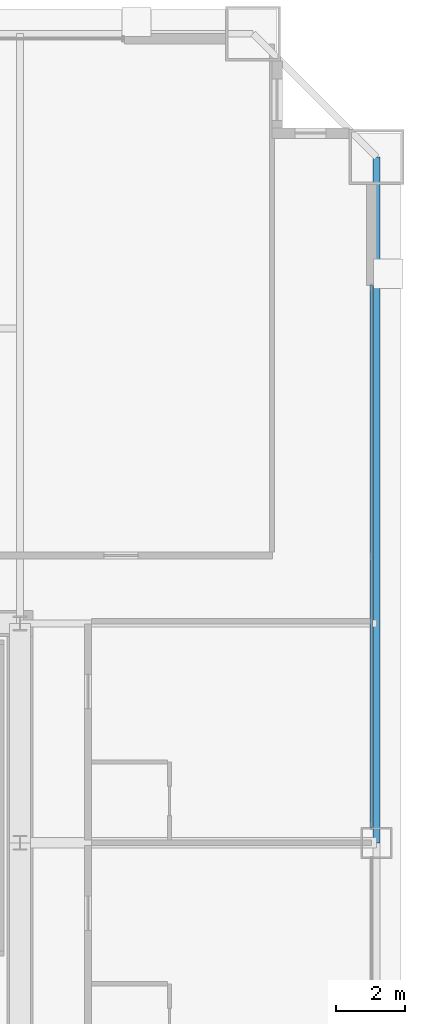
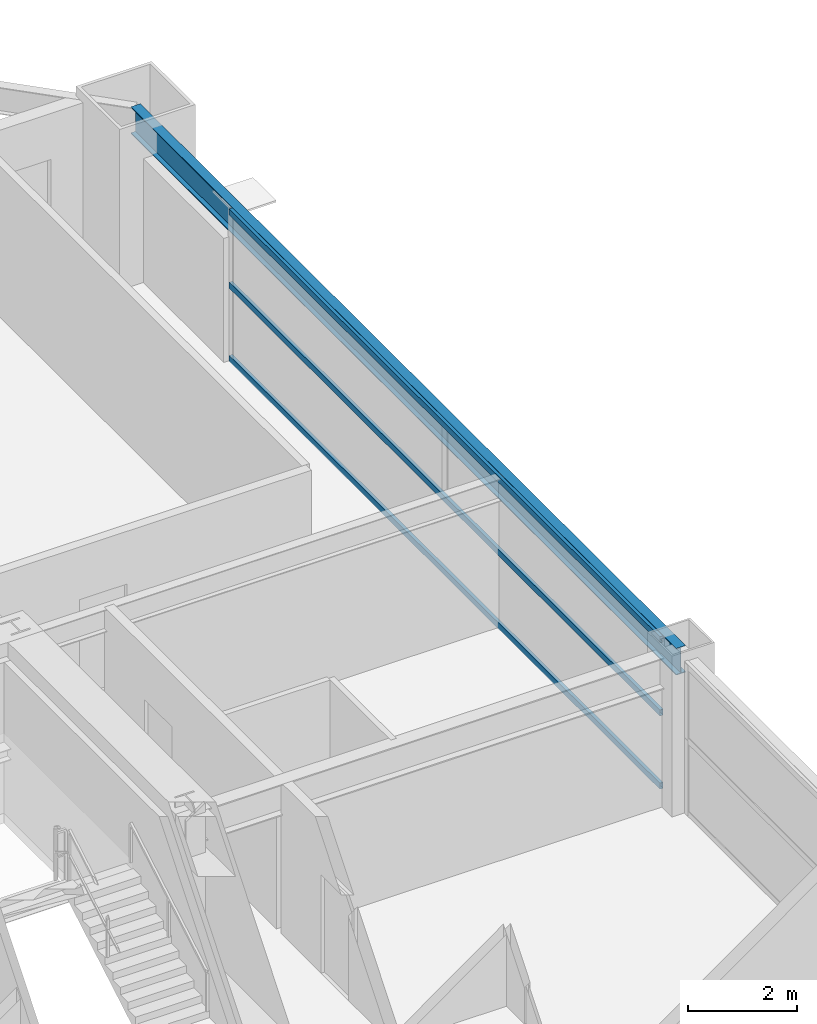
# One storey, part 29 of 38: 3 members, 1 beam, 1 element without a shape of its own.
"""IFC4 building model written with IfcOpenShell, lengths in metres."""

from ifc_helpers import new_model, si_unit, direction, frame, origin, origin_2d, place, context, subcontext, project, spatial, hollow_rectangle, i_section, extrude, source, transform, mapped, material, layer, layer_set, material_profile, profile_set, type_object, element, aggregate, save


model = new_model("IFC4")

# Units and contexts
model_context = context("Model", 3, precision=1e-05, world=origin(), true_north=direction((0.0, 1.0)))
body_context = subcontext(model_context, "Body", "Model", "MODEL_VIEW")
ifc_project = project(units=[si_unit("LENGTHUNIT", "METRE"), si_unit("AREAUNIT", "SQUARE_METRE"), si_unit("VOLUMEUNIT", "CUBIC_METRE"), si_unit("PLANEANGLEUNIT", "RADIAN"), si_unit("MASSUNIT", "GRAM", prefix="KILO"), si_unit("THERMODYNAMICTEMPERATUREUNIT", "KELVIN"), si_unit("POWERUNIT", "WATT")], contexts=[model_context])

# Site, building, storey
site_placement = place(None, origin())
site = spatial("IfcSite", under=ifc_project, at=site_placement, CompositionType="ELEMENT")
building_placement = place(site_placement, origin())
building = spatial("IfcBuilding", under=site, at=building_placement, Name="Yuzanri Waterfront Tower", CompositionType="ELEMENT")
storey_placement = place(building_placement, frame((0.0, 0.0, 119.0)))
storey = spatial("IfcBuildingStorey", under=building, at=storey_placement, Name="L31", CompositionType="ELEMENT", Elevation=119.0)

# Beam
ifc_material_1 = material(Name="Steel Q355B", Category="steel")
ifc_material_profile_1 = material_profile(ifc_material_1, i_section(OverallWidth=0.199951171875, OverallDepth=0.60009765625, WebThickness=0.010986328125, FlangeThickness=0.01708984375, at=origin_2d()), Name="HN 600x200x11x17")
ifc_profile_set_1 = profile_set([ifc_material_profile_1], Name="Steel Q355B")
beam_type = type_object("IfcBeamType", Name="Perimeter Spandrel Q355B HN 600x200", PredefinedType="SPANDREL", material=ifc_profile_set_1)
shared_shape_1 = source(origin(), body_context, "Body", "SweptSolid", [
    extrude(i_section(OverallWidth=0.199951171875, OverallDepth=0.60009765625, WebThickness=0.010986328125, FlangeThickness=0.01708984375, at=origin_2d()), origin(), (0.0, 0.0, 1.0), 20.0),
])
beam_placement = place(storey_placement, frame((60.60009765625, 25.800048828125, 3.080078125), z_axis=(0.0, 1.0, 0.0), x_axis=(-1.0, 0.0, 0.0)))
element("IfcBeam", 1, at=beam_placement, inside=storey, type_object=beam_type, Name="L31 Perimeter Spandrel E2-E3", PredefinedType="SPANDREL", context=body_context, shape_type="MappedRepresentation", body=[
    mapped(shared_shape_1, transform((0.0, 0.0, 0.0), scale=1.0)),
])

# Curtain wall, members
ifc_material_2 = material(Name="Anodized Architectural Bronze", Category="metal")
ifc_layer = layer(ifc_material_2, 0.159912109375)
ifc_layer_set = layer_set([ifc_layer], Name="Anodized Architectural Bronze")
curtain_wall_type = type_object("IfcCurtainWallType", Name="Anodized Bronze Hotel Upper-Tier Solar-Control Unitized Curtain Wall 7800", PredefinedType="NOTDEFINED", material=ifc_layer_set)
curtain_wall_placement = place(storey_placement, origin())
curtain_wall = element("IfcCurtainWall", 2, at=curtain_wall_placement, inside=storey, type_object=curtain_wall_type, Name="L31 Curtain Wall CW-L31-ER", PredefinedType="NOTDEFINED")
ifc_material_3 = material(Name="Anodized Architectural Bronze", Category="metal")
ifc_material_profile_2 = material_profile(ifc_material_3, hollow_rectangle(XDim=0.070068359375, YDim=0.135009765625, WallThickness=0.00341796875, at=origin_2d()), Name="CWT 70x135")
ifc_profile_set_2 = profile_set([ifc_material_profile_2], Name="Anodized Architectural Bronze")
member_type = type_object("IfcMemberType", Name="Anodized Bronze Standard Curtain-Wall Transom 70x135", PredefinedType="USERDEFINED", material=ifc_profile_set_2)
shared_shape_2 = source(origin(), body_context, "Body", "SweptSolid", [
    extrude(hollow_rectangle(XDim=0.070068359375, YDim=0.135009765625, WallThickness=0.00341796875, at=origin_2d()), origin(), (0.0, 0.0, 1.0), 15.800048828125),
])
member_1_placement = place(storey_placement, frame((60.449951171875, 26.25, 0.050048828125), z_axis=(0.0, 1.0, 0.0), x_axis=(-1.0, 0.0, 0.0)))
member_1 = element("IfcMember", 3, at=member_1_placement, type_object=member_type, Name="CW-L31-ER Transom 1", ObjectType="TRANSOM", PredefinedType="USERDEFINED", context=body_context, shape_type="MappedRepresentation", body=[
    mapped(shared_shape_2, transform((0.0, 0.0, 0.0), scale=1.0)),
])
member_2_placement = place(storey_placement, frame((60.449951171875, 26.25, 1.68994140625), z_axis=(0.0, 1.0, 0.0), x_axis=(-1.0, 0.0, 0.0)))
member_2 = element("IfcMember", 4, at=member_2_placement, type_object=member_type, Name="CW-L31-ER Transom 2", ObjectType="TRANSOM", PredefinedType="USERDEFINED", context=body_context, shape_type="MappedRepresentation", body=[
    mapped(shared_shape_2, transform((0.0, 0.0, 0.0), scale=1.0)),
])
member_3_placement = place(storey_placement, frame((60.449951171875, 26.25, 3.330078125), z_axis=(0.0, 1.0, 0.0), x_axis=(-1.0, 0.0, 0.0)))
member_3 = element("IfcMember", 5, at=member_3_placement, type_object=member_type, Name="CW-L31-ER Transom 3", ObjectType="TRANSOM", PredefinedType="USERDEFINED", context=body_context, shape_type="MappedRepresentation", body=[
    mapped(shared_shape_2, transform((0.0, 0.0, 0.0), scale=1.0)),
])
aggregate(curtain_wall, [member_1, member_2, member_3])

save(model, "model.ifc")
